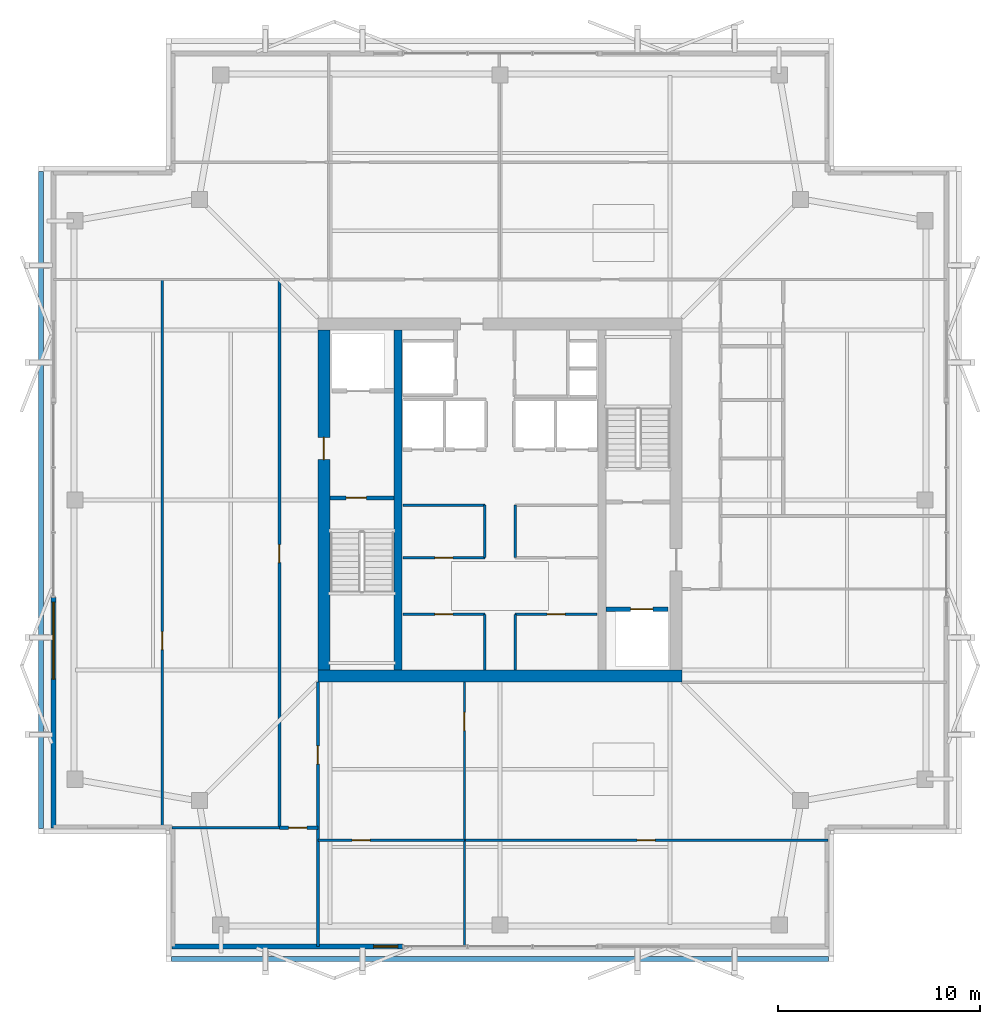
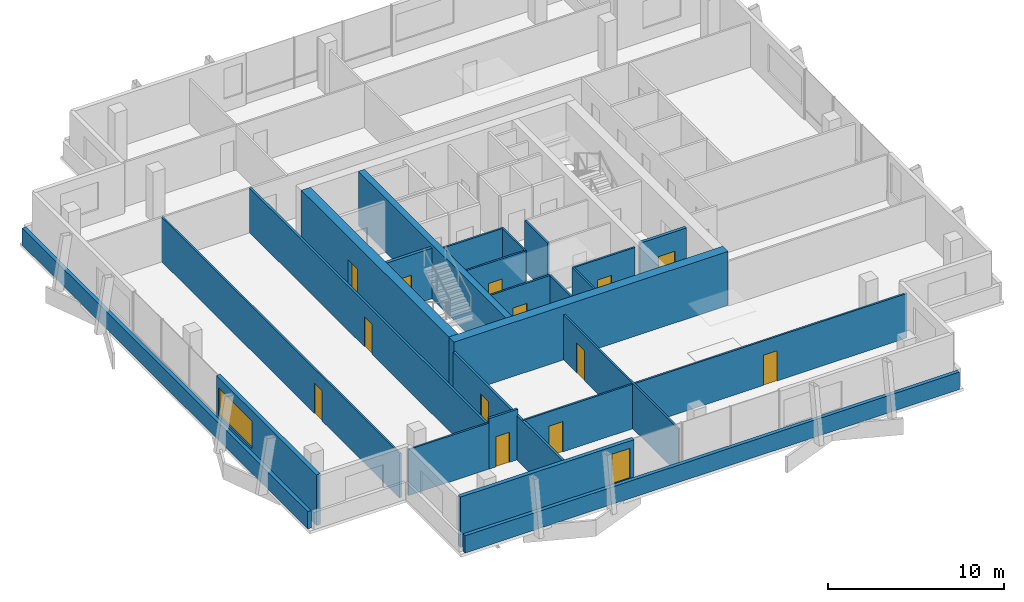
# One storey, part 13 of 17: 25 walls, 13 doors, 2 windows, 15 openings.
"""IFC4 building model written with IfcOpenShell, lengths in metres."""

from ifc_helpers import new_model, si_unit, direction, frame, frame_2d, origin, place, context, subcontext, project, spatial, rectangle, extrude, material, layer, layer_set, type_object, element, fill, save


model = new_model("IFC4")

# Units and contexts
model_context = context("Model", 3, precision=1e-05, world=origin(), true_north=direction((0.0, 1.0)))
body_context = subcontext(model_context, "Body", "Model", "MODEL_VIEW")
ifc_project = project(units=[si_unit("LENGTHUNIT", "METRE"), si_unit("AREAUNIT", "SQUARE_METRE"), si_unit("VOLUMEUNIT", "CUBIC_METRE"), si_unit("PLANEANGLEUNIT", "RADIAN"), si_unit("MASSUNIT", "GRAM", prefix="KILO")], contexts=[model_context])

# Site, building, storey
site_placement = place(None, origin())
site = spatial("IfcSite", under=ifc_project, at=site_placement, CompositionType="ELEMENT")
building_placement = place(site_placement, origin())
building = spatial("IfcBuilding", under=site, at=building_placement, Name="Belovzor Exchange Tower", CompositionType="ELEMENT")
storey_placement = place(building_placement, frame((0.0, 0.0, 333.0)))
storey = spatial("IfcBuildingStorey", under=building, at=storey_placement, Name="L83", CompositionType="ELEMENT", Elevation=333.0)

# Wall, opening, door
ifc_material_1 = material(Name="Acoustic Plasterboard on Galvanised Studs", Category="gypsum")
ifc_layer_1 = layer(ifc_material_1, 0.1201171875)
ifc_layer_set_1 = layer_set([ifc_layer_1], Name="Acoustic Plasterboard on Galvanised Studs")
wall_type_1 = type_object("IfcWallType", Name="Acoustic Double-Stud Partition Wall 120", PredefinedType="PARTITIONING", material=ifc_layer_set_1)
wall_1_placement = place(storey_placement, frame((12.115966796875, 12.60009765625, 0.0), z_axis=(0.0, 0.0, 1.0), x_axis=(0.0, 1.0, 0.0)))
wall_1 = element("IfcWall", 1, at=wall_1_placement, inside=storey, type_object=wall_type_1, Name="W-P120 Partition Wall W-L83-WHDIV-0", PredefinedType="PARTITIONING", context=body_context, shape_type="SweptSolid", body=[
    extrude(rectangle(XDim=27.099853515625, YDim=0.1201171875, at=frame_2d((13.5498046875, 0.0))), origin(), (0.0, 0.0, 1.0), 3.094970703125),
])
opening_1_placement = place(wall_1_placement, frame((8.800048828125, 0.0, 0.0)))
opening_1 = element("IfcOpeningElement", 2, at=opening_1_placement, cuts=wall_1, Name="Opening D-INT-090", PredefinedType="OPENING", context=body_context, shape_type="SweptSolid", body=[
    extrude(rectangle(XDim=0.89990234375, YDim=2.10009765625, at=frame_2d((0.449951171875, 1.050048828125))), frame((0.0, 0.070068359375, 0.0), z_axis=(0.0, -1.0, 0.0), x_axis=(1.0, 0.0, 0.0)), (0.0, 0.0, 1.0), 0.14013671875),
])
ifc_material_2 = material(Name="Veneered Hardwood Acoustic Leaf", Category="wood")
door_type_1 = type_object("IfcDoorType", Name="Trading Suite Acoustic Single Door 900x2100", OperationType="NOTDEFINED", PredefinedType="DOOR", material=ifc_material_2)
door_1_placement = place(opening_1_placement, origin())
door_1 = element("IfcDoor", 3, at=door_1_placement, inside=storey, type_object=door_type_1, Name="D-INT-090 Trading Suite Acoustic Single Door 900x2100", OperationType="SINGLE_SWING_LEFT", OverallHeight=2.10009765625, OverallWidth=0.89990234375, PredefinedType="DOOR", context=body_context, shape_type="SweptSolid", body=[
    extrude(rectangle(XDim=0.89990234375, YDim=2.10009765625, at=frame_2d((0.449951171875, 1.050048828125))), frame((0.0, 0.02490234375, 0.0), z_axis=(0.0, -1.0, 0.0), x_axis=(1.0, 0.0, 0.0)), (0.0, 0.0, 1.0), 0.050048828125),
])
fill(opening_1, door_1)

# Wall
wall_2_placement = place(storey_placement, frame((12.60009765625, 12.60009765625, 0.0), z_axis=(0.0, 0.0, 1.0), x_axis=(1.0, 0.0, 0.0)))
element("IfcWall", 4, at=wall_2_placement, inside=storey, type_object=wall_type_1, Name="W-P120 Partition Wall W-L83-SWS", PredefinedType="PARTITIONING", context=body_context, shape_type="SweptSolid", body=[
    extrude(rectangle(XDim=5.2998046875, YDim=0.1201171875, at=frame_2d((2.64990234375, 0.0))), origin(), (0.0, 0.0, 1.0), 3.195068359375),
])

# Wall, opening, door
wall_3_placement = place(storey_placement, frame((19.800048828125, 11.972900390625, 0.0), z_axis=(0.0, 0.0, 1.0), x_axis=(1.0, 0.0, 0.0)))
wall_3 = element("IfcWall", 5, at=wall_3_placement, inside=storey, type_object=wall_type_1, Name="W-P120 Partition Wall W-L83-SHDIV-0", PredefinedType="PARTITIONING", context=body_context, shape_type="SweptSolid", body=[
    extrude(rectangle(XDim=7.243896484375, YDim=0.1201171875, at=frame_2d((3.6220703125, 0.0))), origin(), (0.0, 0.0, 1.0), 3.094970703125),
])
opening_2_placement = place(wall_3_placement, frame((1.68603515625, 0.0, 0.0)))
opening_2 = element("IfcOpeningElement", 6, at=opening_2_placement, cuts=wall_3, Name="Opening D-INT-090", PredefinedType="OPENING", context=body_context, shape_type="SweptSolid", body=[
    extrude(rectangle(XDim=0.89990234375, YDim=2.10009765625, at=frame_2d((0.449951171875, 1.050048828125))), frame((0.0, 0.070068359375, 0.0), z_axis=(0.0, -1.0, 0.0), x_axis=(1.0, 0.0, 0.0)), (0.0, 0.0, 1.0), 0.14013671875),
])
door_2_placement = place(opening_2_placement, origin())
door_2 = element("IfcDoor", 7, at=door_2_placement, inside=storey, type_object=door_type_1, Name="D-INT-090 Trading Suite Acoustic Single Door 900x2100", OperationType="SINGLE_SWING_LEFT", OverallHeight=2.10009765625, OverallWidth=0.89990234375, PredefinedType="DOOR", context=body_context, shape_type="SweptSolid", body=[
    extrude(rectangle(XDim=0.89990234375, YDim=2.10009765625, at=frame_2d((0.449951171875, 1.050048828125))), frame((0.0, 0.02490234375, 0.0), z_axis=(0.0, -1.0, 0.0), x_axis=(1.0, 0.0, 0.0)), (0.0, 0.0, 1.0), 0.050048828125),
])
fill(opening_2, door_2)

wall_4_placement = place(storey_placement, frame((27.0439453125, 6.72998046875, 0.0), z_axis=(0.0, 0.0, 1.0), x_axis=(0.0, 1.0, 0.0)))
wall_4 = element("IfcWall", 8, at=wall_4_placement, inside=storey, type_object=wall_type_1, Name="W-P120 Partition Wall W-L83-SDIV-1", PredefinedType="PARTITIONING", context=body_context, shape_type="SweptSolid", body=[
    extrude(rectangle(XDim=13.070068359375, YDim=0.1201171875, at=frame_2d((6.53515625, 0.0))), origin(), (0.0, 0.0, 1.0), 3.135009765625),
])
opening_3_placement = place(wall_4_placement, frame((10.669921875, 0.0, 0.0)))
opening_3 = element("IfcOpeningElement", 9, at=opening_3_placement, cuts=wall_4, Name="Opening D-INT-090", PredefinedType="OPENING", context=body_context, shape_type="SweptSolid", body=[
    extrude(rectangle(XDim=0.89990234375, YDim=2.10009765625, at=frame_2d((0.449951171875, 1.050048828125))), frame((0.0, 0.070068359375, 0.0), z_axis=(0.0, -1.0, 0.0), x_axis=(1.0, 0.0, 0.0)), (0.0, 0.0, 1.0), 0.14013671875),
])
door_3_placement = place(opening_3_placement, origin())
door_3 = element("IfcDoor", 10, at=door_3_placement, inside=storey, type_object=door_type_1, Name="D-INT-090 Trading Suite Acoustic Single Door 900x2100", OperationType="SINGLE_SWING_LEFT", OverallHeight=2.10009765625, OverallWidth=0.89990234375, PredefinedType="DOOR", context=body_context, shape_type="SweptSolid", body=[
    extrude(rectangle(XDim=0.89990234375, YDim=2.10009765625, at=frame_2d((0.449951171875, 1.050048828125))), frame((0.0, 0.02490234375, 0.0), z_axis=(0.0, -1.0, 0.0), x_axis=(1.0, 0.0, 0.0)), (0.0, 0.0, 1.0), 0.050048828125),
])
fill(opening_3, door_3)

wall_5_placement = place(storey_placement, frame((27.0439453125, 11.972900390625, 0.0), z_axis=(0.0, 0.0, 1.0), x_axis=(1.0, 0.0, 0.0)))
wall_5 = element("IfcWall", 11, at=wall_5_placement, inside=storey, type_object=wall_type_1, Name="W-P120 Partition Wall W-L83-SHDIV-1", PredefinedType="PARTITIONING", context=body_context, shape_type="SweptSolid", body=[
    extrude(rectangle(XDim=17.9560546875, YDim=0.1201171875, at=frame_2d((8.97802734375, 0.0))), origin(), (0.0, 0.0, 1.0), 3.094970703125),
])
opening_4_placement = place(wall_5_placement, frame((8.528076171875, 0.0, 0.0)))
opening_4 = element("IfcOpeningElement", 12, at=opening_4_placement, cuts=wall_5, Name="Opening D-INT-090", PredefinedType="OPENING", context=body_context, shape_type="SweptSolid", body=[
    extrude(rectangle(XDim=0.89990234375, YDim=2.10009765625, at=frame_2d((0.449951171875, 1.050048828125))), frame((0.0, 0.070068359375, 0.0), z_axis=(0.0, -1.0, 0.0), x_axis=(1.0, 0.0, 0.0)), (0.0, 0.0, 1.0), 0.14013671875),
])
door_4_placement = place(opening_4_placement, origin())
door_4 = element("IfcDoor", 13, at=door_4_placement, inside=storey, type_object=door_type_1, Name="D-INT-090 Trading Suite Acoustic Single Door 900x2100", OperationType="SINGLE_SWING_LEFT", OverallHeight=2.10009765625, OverallWidth=0.89990234375, PredefinedType="DOOR", context=body_context, shape_type="SweptSolid", body=[
    extrude(rectangle(XDim=0.89990234375, YDim=2.10009765625, at=frame_2d((0.449951171875, 1.050048828125))), frame((0.0, 0.02490234375, 0.0), z_axis=(0.0, -1.0, 0.0), x_axis=(1.0, 0.0, 0.0)), (0.0, 0.0, 1.0), 0.050048828125),
])
fill(opening_4, door_4)

ifc_material_3 = material(Name="Fire-Rated Plasterboard on Galvanised Studs", Category="gypsum")
ifc_layer_2 = layer(ifc_material_3, 0.1201171875)
ifc_layer_set_2 = layer_set([ifc_layer_2], Name="Fire-Rated Plasterboard on Galvanised Studs")
wall_type_2 = type_object("IfcWallType", Name="Fire-Rated Double-Stud Partition Wall 120", PredefinedType="PARTITIONING", material=ifc_layer_set_2)
wall_6_placement = place(storey_placement, frame((24.0, 23.14990234375, 0.0), z_axis=(0.0, 0.0, 1.0), x_axis=(1.0, 0.0, 0.0)))
wall_6 = element("IfcWall", 14, at=wall_6_placement, inside=storey, type_object=wall_type_2, Name="W-P120F Partition Wall W-CRL-L83-WN", PredefinedType="PARTITIONING", context=body_context, shape_type="SweptSolid", body=[
    extrude(rectangle(XDim=4.050048828125, YDim=0.1201171875, at=frame_2d((2.02490234375, 0.0))), origin(), (0.0, 0.0, 1.0), 3.510009765625),
])
opening_5_placement = place(wall_6_placement, frame((1.574951171875, 0.0, 0.0)))
opening_5 = element("IfcOpeningElement", 15, at=opening_5_placement, cuts=wall_6, Name="Opening D-FD60-090", PredefinedType="OPENING", context=body_context, shape_type="SweptSolid", body=[
    extrude(rectangle(XDim=0.89990234375, YDim=2.10009765625, at=frame_2d((0.449951171875, 1.050048828125))), frame((0.0, 0.070068359375, 0.0), z_axis=(0.0, -1.0, 0.0), x_axis=(1.0, 0.0, 0.0)), (0.0, 0.0, 1.0), 0.14013671875),
])
ifc_material_4 = material(Name="Acoustic Timber Fire Leaf", Category="wood")
door_type_2 = type_object("IfcDoorType", Name="Core Service & Restroom Fire Door 900x2100", OperationType="NOTDEFINED", PredefinedType="DOOR", material=ifc_material_4)
door_5_placement = place(opening_5_placement, origin())
door_5 = element("IfcDoor", 16, at=door_5_placement, inside=storey, type_object=door_type_2, Name="D-FD60-090 Core Service & Restroom Fire Door 900x2100", OperationType="SINGLE_SWING_LEFT", OverallHeight=2.10009765625, OverallWidth=0.89990234375, PredefinedType="DOOR", context=body_context, shape_type="SweptSolid", body=[
    extrude(rectangle(XDim=0.89990234375, YDim=2.10009765625, at=frame_2d((0.449951171875, 1.050048828125))), frame((0.0, 0.02490234375, 0.0), z_axis=(0.0, -1.0, 0.0), x_axis=(1.0, 0.0, 0.0)), (0.0, 0.0, 1.0), 0.050048828125),
])
fill(opening_5, door_5)

# Wall
wall_7_placement = place(storey_placement, frame((28.050048828125, 20.39990234375, 0.0), z_axis=(0.0, 0.0, 1.0), x_axis=(0.0, 1.0, 0.0)))
element("IfcWall", 17, at=wall_7_placement, inside=storey, type_object=wall_type_2, Name="W-P120F Partition Wall W-CRL-L83-WE", PredefinedType="PARTITIONING", context=body_context, shape_type="SweptSolid", body=[
    extrude(rectangle(XDim=2.75, YDim=0.1201171875, at=frame_2d((1.375, 0.0))), origin(), (0.0, 0.0, 1.0), 3.510009765625),
])

# Wall, opening, door
wall_8_placement = place(storey_placement, frame((29.550048828125, 23.14990234375, 0.0), z_axis=(0.0, 0.0, 1.0), x_axis=(1.0, 0.0, 0.0)))
wall_8 = element("IfcWall", 18, at=wall_8_placement, inside=storey, type_object=wall_type_2, Name="W-P120F Partition Wall W-CRL-L83-EN", PredefinedType="PARTITIONING", context=body_context, shape_type="SweptSolid", body=[
    extrude(rectangle(XDim=4.050048828125, YDim=0.1201171875, at=frame_2d((2.02490234375, 0.0))), origin(), (0.0, 0.0, 1.0), 3.510009765625),
])
opening_6_placement = place(wall_8_placement, frame((1.574951171875, 0.0, 0.0)))
opening_6 = element("IfcOpeningElement", 19, at=opening_6_placement, cuts=wall_8, Name="Opening D-FD60-090", PredefinedType="OPENING", context=body_context, shape_type="SweptSolid", body=[
    extrude(rectangle(XDim=0.89990234375, YDim=2.10009765625, at=frame_2d((0.449951171875, 1.050048828125))), frame((0.0, 0.070068359375, 0.0), z_axis=(0.0, -1.0, 0.0), x_axis=(1.0, 0.0, 0.0)), (0.0, 0.0, 1.0), 0.14013671875),
])
door_6_placement = place(opening_6_placement, origin())
door_6 = element("IfcDoor", 20, at=door_6_placement, inside=storey, type_object=door_type_2, Name="D-FD60-090 Core Service & Restroom Fire Door 900x2100", OperationType="SINGLE_SWING_RIGHT", OverallHeight=2.10009765625, OverallWidth=0.89990234375, PredefinedType="DOOR", context=body_context, shape_type="SweptSolid", body=[
    extrude(rectangle(XDim=0.89990234375, YDim=2.10009765625, at=frame_2d((0.449951171875, 1.050048828125))), frame((0.0, 0.02490234375, 0.0), z_axis=(0.0, -1.0, 0.0), x_axis=(1.0, 0.0, 0.0)), (0.0, 0.0, 1.0), 0.050048828125),
])
fill(opening_6, door_6)

# Wall
wall_9_placement = place(storey_placement, frame((29.550048828125, 20.39990234375, 0.0), z_axis=(0.0, 0.0, 1.0), x_axis=(0.0, 1.0, 0.0)))
element("IfcWall", 21, at=wall_9_placement, inside=storey, type_object=wall_type_2, Name="W-P120F Partition Wall W-CRL-L83-EW", PredefinedType="PARTITIONING", context=body_context, shape_type="SweptSolid", body=[
    extrude(rectangle(XDim=2.75, YDim=0.1201171875, at=frame_2d((1.375, 0.0))), origin(), (0.0, 0.0, 1.0), 3.510009765625),
])

# Wall, opening, door
wall_10_placement = place(storey_placement, frame((24.0, 25.949951171875, 0.0), z_axis=(0.0, 0.0, 1.0), x_axis=(1.0, 0.0, 0.0)))
wall_10 = element("IfcWall", 22, at=wall_10_placement, inside=storey, type_object=wall_type_2, Name="W-P120F Partition Wall W-CRM-L83-WS", PredefinedType="PARTITIONING", context=body_context, shape_type="SweptSolid", body=[
    extrude(rectangle(XDim=4.050048828125, YDim=0.1201171875, at=frame_2d((2.02490234375, 0.0))), origin(), (0.0, 0.0, 1.0), 3.510009765625),
])
opening_7_placement = place(wall_10_placement, frame((1.574951171875, 0.0, 0.0)))
opening_7 = element("IfcOpeningElement", 23, at=opening_7_placement, cuts=wall_10, Name="Opening D-FD60-090", PredefinedType="OPENING", context=body_context, shape_type="SweptSolid", body=[
    extrude(rectangle(XDim=0.89990234375, YDim=2.10009765625, at=frame_2d((0.449951171875, 1.050048828125))), frame((0.0, 0.070068359375, 0.0), z_axis=(0.0, -1.0, 0.0), x_axis=(1.0, 0.0, 0.0)), (0.0, 0.0, 1.0), 0.14013671875),
])
door_7_placement = place(opening_7_placement, origin())
door_7 = element("IfcDoor", 24, at=door_7_placement, inside=storey, type_object=door_type_2, Name="D-FD60-090 Core Service & Restroom Fire Door 900x2100", OperationType="SINGLE_SWING_LEFT", OverallHeight=2.10009765625, OverallWidth=0.89990234375, PredefinedType="DOOR", context=body_context, shape_type="SweptSolid", body=[
    extrude(rectangle(XDim=0.89990234375, YDim=2.10009765625, at=frame_2d((0.449951171875, 1.050048828125))), frame((0.0, 0.02490234375, 0.0), z_axis=(0.0, -1.0, 0.0), x_axis=(1.0, 0.0, 0.0)), (0.0, 0.0, 1.0), 0.050048828125),
])
fill(opening_7, door_7)

# Walls
wall_11_placement = place(storey_placement, frame((24.0, 28.550048828125, 0.0), z_axis=(0.0, 0.0, 1.0), x_axis=(1.0, 0.0, 0.0)))
element("IfcWall", 25, at=wall_11_placement, inside=storey, type_object=wall_type_2, Name="W-P120F Partition Wall W-CRM-L83-WN", PredefinedType="PARTITIONING", context=body_context, shape_type="SweptSolid", body=[
    extrude(rectangle(XDim=4.050048828125, YDim=0.1201171875, at=frame_2d((2.02490234375, 0.0))), origin(), (0.0, 0.0, 1.0), 3.510009765625),
])
for number, where, z_axis, x_axis, name in (
    (26, (28.050048828125, 25.949951171875, 0.0), (0.0, 0.0, 1.0), (0.0, 1.0, 0.0), "W-P120F Partition Wall W-CRM-L83-WE"),
    (27, (29.550048828125, 25.949951171875, 0.0), (0.0, 0.0, 1.0), (0.0, 1.0, 0.0), "W-P120F Partition Wall W-CRM-L83-EW"),
):
    element("IfcWall", number, at=place(storey_placement, frame(where, z_axis=z_axis, x_axis=x_axis)), inside=storey, type_object=wall_type_2, Name=name, PredefinedType="PARTITIONING", context=body_context, shape_type="SweptSolid", body=[
        extrude(rectangle(XDim=2.60009765625, YDim=0.1201171875, at=frame_2d((1.300048828125, 0.0))), origin(), (0.0, 0.0, 1.0), 3.510009765625),
    ])

# Wall, opening, door
ifc_material_5 = material(Name="Fire-Rated Gypsum Block and Mineral Wool", Category="gypsum")
ifc_layer_3 = layer(ifc_material_5, 0.14990234375)
ifc_layer_set_3 = layer_set([ifc_layer_3], Name="Fire-Rated Gypsum Block and Mineral Wool")
wall_type_3 = type_object("IfcWallType", Name="Fire-Rated Gypsum Block Corridor Wall 150", PredefinedType="PARTITIONING", material=ifc_layer_set_3)
wall_12_placement = place(storey_placement, frame((17.89990234375, 12.60009765625, 0.0), z_axis=(0.0, 0.0, 1.0), x_axis=(1.0, 0.0, 0.0)))
wall_12 = element("IfcWall", 28, at=wall_12_placement, inside=storey, type_object=wall_type_3, Name="W-P150 Partition Wall W-L83-CW-END", PredefinedType="PARTITIONING", context=body_context, shape_type="SweptSolid", body=[
    extrude(rectangle(XDim=1.900146484375, YDim=0.14990234375, at=frame_2d((0.9501953125, 0.0))), origin(), (0.0, 0.0, 1.0), 3.510009765625),
])
opening_8_placement = place(wall_12_placement, frame((0.449951171875, 0.0, 0.0)))
opening_8 = element("IfcOpeningElement", 29, at=opening_8_placement, cuts=wall_12, Name="Opening D-FD60-090", PredefinedType="OPENING", context=body_context, shape_type="SweptSolid", body=[
    extrude(rectangle(XDim=0.89990234375, YDim=2.10009765625, at=frame_2d((0.449951171875, 1.050048828125))), frame((0.0, 0.0849609375, 0.0), z_axis=(0.0, -1.0, 0.0), x_axis=(1.0, 0.0, 0.0)), (0.0, 0.0, 1.0), 0.169921875),
])
door_8_placement = place(opening_8_placement, origin())
door_8 = element("IfcDoor", 30, at=door_8_placement, inside=storey, type_object=door_type_2, Name="D-FD60-090 Core Service & Restroom Fire Door 900x2100", OperationType="SINGLE_SWING_LEFT", OverallHeight=2.10009765625, OverallWidth=0.89990234375, PredefinedType="DOOR", context=body_context, shape_type="SweptSolid", body=[
    extrude(rectangle(XDim=0.89990234375, YDim=2.10009765625, at=frame_2d((0.449951171875, 1.050048828125))), frame((0.0, 0.02490234375, 0.0), z_axis=(0.0, -1.0, 0.0), x_axis=(1.0, 0.0, 0.0)), (0.0, 0.0, 1.0), 0.050048828125),
])
fill(opening_8, door_8)

wall_13_placement = place(storey_placement, frame((19.800048828125, 6.72998046875, 0.0), z_axis=(0.0, 0.0, 1.0), x_axis=(0.0, 1.0, 0.0)))
wall_13 = element("IfcWall", 31, at=wall_13_placement, inside=storey, type_object=wall_type_3, Name="W-P150 Partition Wall W-L83-CW-E", PredefinedType="PARTITIONING", context=body_context, shape_type="SweptSolid", body=[
    extrude(rectangle(XDim=13.070068359375, YDim=0.14990234375, at=frame_2d((6.53515625, 0.0))), origin(), (0.0, 0.0, 1.0), 3.094970703125),
])
opening_9_placement = place(wall_13_placement, frame((9.02001953125, 0.0, 0.0)))
opening_9 = element("IfcOpeningElement", 32, at=opening_9_placement, cuts=wall_13, Name="Opening D-FD60-090", PredefinedType="OPENING", context=body_context, shape_type="SweptSolid", body=[
    extrude(rectangle(XDim=0.89990234375, YDim=2.10009765625, at=frame_2d((0.449951171875, 1.050048828125))), frame((0.0, 0.0849609375, 0.0), z_axis=(0.0, -1.0, 0.0), x_axis=(1.0, 0.0, 0.0)), (0.0, 0.0, 1.0), 0.169921875),
])
door_9_placement = place(opening_9_placement, origin())
door_9 = element("IfcDoor", 33, at=door_9_placement, inside=storey, type_object=door_type_2, Name="D-FD60-090 Core Service & Restroom Fire Door 900x2100", OperationType="SINGLE_SWING_RIGHT", OverallHeight=2.10009765625, OverallWidth=0.89990234375, PredefinedType="DOOR", context=body_context, shape_type="SweptSolid", body=[
    extrude(rectangle(XDim=0.89990234375, YDim=2.10009765625, at=frame_2d((0.449951171875, 1.050048828125))), frame((0.0, 0.02490234375, 0.0), z_axis=(0.0, -1.0, 0.0), x_axis=(1.0, 0.0, 0.0)), (0.0, 0.0, 1.0), 0.050048828125),
])
fill(opening_9, door_9)

wall_14_placement = place(storey_placement, frame((17.89990234375, 12.60009765625, 0.0), z_axis=(0.0, 0.0, 1.0), x_axis=(0.0, 1.0, 0.0)))
wall_14 = element("IfcWall", 34, at=wall_14_placement, inside=storey, type_object=wall_type_3, Name="W-P150 Partition Wall W-L83-CW", PredefinedType="PARTITIONING", context=body_context, shape_type="SweptSolid", body=[
    extrude(rectangle(XDim=27.099853515625, YDim=0.14990234375, at=frame_2d((13.5498046875, 0.0))), origin(), (0.0, 0.0, 1.0), 3.094970703125),
])
opening_10_placement = place(wall_14_placement, frame((13.10009765625, 0.0, 0.0)))
opening_10 = element("IfcOpeningElement", 35, at=opening_10_placement, cuts=wall_14, Name="Opening D-INT-090", PredefinedType="OPENING", context=body_context, shape_type="SweptSolid", body=[
    extrude(rectangle(XDim=0.89990234375, YDim=2.10009765625, at=frame_2d((0.449951171875, 1.050048828125))), frame((0.0, 0.0849609375, 0.0), z_axis=(0.0, -1.0, 0.0), x_axis=(1.0, 0.0, 0.0)), (0.0, 0.0, 1.0), 0.169921875),
])
door_10_placement = place(opening_10_placement, origin())
door_10 = element("IfcDoor", 36, at=door_10_placement, inside=storey, type_object=door_type_1, Name="D-INT-090 Trading Suite Acoustic Single Door 900x2100", OperationType="SINGLE_SWING_RIGHT", OverallHeight=2.10009765625, OverallWidth=0.89990234375, PredefinedType="DOOR", context=body_context, shape_type="SweptSolid", body=[
    extrude(rectangle(XDim=0.89990234375, YDim=2.10009765625, at=frame_2d((0.449951171875, 1.050048828125))), frame((0.0, 0.02490234375, 0.0), z_axis=(0.0, -1.0, 0.0), x_axis=(1.0, 0.0, 0.0)), (0.0, 0.0, 1.0), 0.050048828125),
])
fill(opening_10, door_10)

# Wall, opening, window
ifc_material_6 = material(Name="Precast concrete C40/50", Category="concrete")
ifc_layer_4 = layer(ifc_material_6, 0.260009765625)
ifc_layer_set_4 = layer_set([ifc_layer_4], Name="Precast concrete C40/50")
wall_type_4 = type_object("IfcWallType", Name="Precast Concrete Perimeter Loggia Frame Wall 260", PredefinedType="SOLIDWALL", material=ifc_layer_set_4)
wall_15_placement = place(storey_placement, frame((24.0, 6.72998046875, 0.0), z_axis=(0.0, 0.0, 1.0), x_axis=(-1.0, 0.0, 0.0)))
wall_15 = element("IfcWall", 37, at=wall_15_placement, inside=storey, type_object=wall_type_4, Name="W-EXT260 Precast Concrete Perimeter Loggia Frame Wall 260 L83", PredefinedType="SOLIDWALL", context=body_context, shape_type="SweptSolid", body=[
    extrude(rectangle(XDim=11.39990234375, YDim=0.260009765625, at=frame_2d((5.699951171875, 0.0))), origin(), (0.0, 0.0, 1.0), 3.510009765625),
])
opening_11_placement = place(wall_15_placement, frame((0.25, 0.0, 0.89990234375)))
opening_11 = element("IfcOpeningElement", 38, at=opening_11_placement, cuts=wall_15, Name="Opening WN-CRN120", PredefinedType="OPENING", context=body_context, shape_type="SweptSolid", body=[
    extrude(rectangle(XDim=1.199951171875, YDim=2.10009765625, at=frame_2d((0.60009765625, 1.050048828125))), frame((0.0, 0.139892578125, 0.0), z_axis=(0.0, -1.0, 0.0), x_axis=(1.0, 0.0, 0.0)), (0.0, 0.0, 1.0), 0.280029296875),
])
ifc_material_7 = material(Name="Thermally Broken Aluminium and Triple Glazing", Category="aluminium")
window_type_1 = type_object("IfcWindowType", Name="Streamline Notched Corner Window 1200x2100", PartitioningType="SINGLE_PANEL", PredefinedType="WINDOW", material=ifc_material_7)
window_1_placement = place(opening_11_placement, origin())
window_1 = element("IfcWindow", 39, at=window_1_placement, inside=storey, type_object=window_type_1, Name="WN-CRN120 Streamline Notched Corner Window 1200x2100", OverallHeight=2.10009765625, OverallWidth=1.199951171875, PartitioningType="SINGLE_PANEL", PredefinedType="WINDOW", context=body_context, shape_type="SweptSolid", body=[
    extrude(rectangle(XDim=1.199951171875, YDim=2.10009765625, at=frame_2d((0.60009765625, 1.050048828125))), frame((0.0, 0.030029296875, 0.0), z_axis=(0.0, -1.0, 0.0), x_axis=(1.0, 0.0, 0.0)), (0.0, 0.0, 1.0), 0.06005859375),
])
fill(opening_11, window_1)

wall_16_placement = place(storey_placement, frame((6.72998046875, 12.60009765625, 0.0), z_axis=(0.0, 0.0, 1.0), x_axis=(0.0, 1.0, 0.0)))
wall_16 = element("IfcWall", 40, at=wall_16_placement, inside=storey, type_object=wall_type_4, Name="W-EXT260 Precast Concrete Perimeter Loggia Frame Wall 260 L83", PredefinedType="SOLIDWALL", context=body_context, shape_type="SweptSolid", body=[
    extrude(rectangle(XDim=11.39990234375, YDim=0.260009765625, at=frame_2d((5.699951171875, 0.0))), origin(), (0.0, 0.0, 1.0), 3.510009765625),
])
opening_12_placement = place(wall_16_placement, frame((7.35009765625, 0.0, 0.89990234375)))
opening_12 = element("IfcOpeningElement", 41, at=opening_12_placement, cuts=wall_16, Name="Opening WN-RIB380", PredefinedType="OPENING", context=body_context, shape_type="SweptSolid", body=[
    extrude(rectangle(XDim=3.800048828125, YDim=1.89990234375, at=frame_2d((1.89990234375, 0.949951171875))), frame((0.0, 0.139892578125, 0.0), z_axis=(0.0, -1.0, 0.0), x_axis=(1.0, 0.0, 0.0)), (0.0, 0.0, 1.0), 0.280029296875),
])
ifc_material_8 = material(Name="Thermally Broken Aluminium and Triple Glazing", Category="aluminium")
window_type_2 = type_object("IfcWindowType", Name="Streamline Moderne Horizontal Ribbon Window 3800x1900", PartitioningType="SINGLE_PANEL", PredefinedType="WINDOW", material=ifc_material_8)
window_2_placement = place(opening_12_placement, origin())
window_2 = element("IfcWindow", 42, at=window_2_placement, inside=storey, type_object=window_type_2, Name="WN-RIB380 Streamline Moderne Horizontal Ribbon Window 3800x1900", OverallHeight=1.89990234375, OverallWidth=3.800048828125, PartitioningType="SINGLE_PANEL", PredefinedType="WINDOW", context=body_context, shape_type="SweptSolid", body=[
    extrude(rectangle(XDim=3.800048828125, YDim=1.89990234375, at=frame_2d((1.89990234375, 0.949951171875))), frame((0.0, 0.030029296875, 0.0), z_axis=(0.0, -1.0, 0.0), x_axis=(1.0, 0.0, 0.0)), (0.0, 0.0, 1.0), 0.06005859375),
])
fill(opening_12, window_2)

# Walls
ifc_material_9 = material(Name="Precast concrete C40/50", Category="concrete")
ifc_layer_5 = layer(ifc_material_9, 0.239990234375)
ifc_layer_set_5 = layer_set([ifc_layer_5], Name="Precast concrete C40/50")
wall_type_5 = type_object("IfcWallType", Name="Precast Stone Setback Roof Parapet Wall 240", PredefinedType="PARAPET", material=ifc_layer_set_5)
for number, where, z_axis, x_axis, name in (
    (43, (12.554931640625, 6.1201171875, 0.0), (0.0, 0.0, 1.0), (1.0, 0.0, 0.0), "W-PAR240 Precast Stone Setback Roof Parapet Wall 240 L83"),
    (44, (6.1201171875, 45.044921875, 0.0), (0.0, 0.0, 1.0), (0.0, -1.0, 0.0), "W-PAR240 Precast Stone Setback Roof Parapet Wall 240 L83"),
):
    element("IfcWall", number, at=place(storey_placement, frame(where, z_axis=z_axis, x_axis=x_axis)), inside=storey, type_object=wall_type_5, Name=name, PredefinedType="PARAPET", context=body_context, shape_type="SweptSolid", body=[
        extrude(rectangle(XDim=32.489990234375, YDim=0.239990234375, at=frame_2d((16.2451171875, 0.0))), origin(), (0.0, 0.0, 1.0), 1.199951171875),
    ])
ifc_material_10 = material(Name="Concrete C50/60", Category="concrete")
ifc_layer_6 = layer(ifc_material_10, 0.39990234375)
ifc_layer_set_6 = layer_set([ifc_layer_6], Name="Concrete C50/60")
wall_type_6 = type_object("IfcWallType", Name="Reinforced Concrete Core Internal Web Wall 400", PredefinedType="SHEAR", material=ifc_layer_set_6)
wall_17_placement = place(storey_placement, frame((23.75, 20.39990234375, 0.0), z_axis=(0.0, 0.0, 1.0), x_axis=(0.0, 1.0, 0.0)))
element("IfcWall", 45, at=wall_17_placement, inside=storey, type_object=wall_type_6, Name="CW-W040 Core Internal Web Wall L83 WL", PredefinedType="SHEAR", context=body_context, shape_type="SweptSolid", body=[
    extrude(rectangle(XDim=16.800048828125, YDim=0.39990234375, at=frame_2d((8.39990234375, 0.0))), origin(), (0.0, 0.0, 1.0), 3.75),
])

# Wall, opening, door
ifc_material_11 = material(Name="Concrete C50/60", Category="concrete")
ifc_layer_7 = layer(ifc_material_11, 0.199951171875)
ifc_layer_set_7 = layer_set([ifc_layer_7], Name="Concrete C50/60")
wall_type_7 = type_object("IfcWallType", Name="Reinforced Concrete Core Shaft Shear Wall 200", PredefinedType="SHEAR", material=ifc_layer_set_7)
wall_18_placement = place(storey_placement, frame((20.39990234375, 28.89990234375, 0.0), z_axis=(0.0, 0.0, 1.0), x_axis=(1.0, 0.0, 0.0)))
wall_18 = element("IfcWall", 46, at=wall_18_placement, inside=storey, type_object=wall_type_7, Name="W-C200S Core Shaft Wall W-CORE-L83-FFLW1", PredefinedType="SHEAR", context=body_context, shape_type="SweptSolid", body=[
    extrude(rectangle(XDim=3.150146484375, YDim=0.199951171875, at=frame_2d((1.5751953125, 0.0))), origin(), (0.0, 0.0, 1.0), 3.510009765625),
])
opening_13_placement = place(wall_18_placement, frame((0.800048828125, 0.0, 0.0)))
opening_13 = element("IfcOpeningElement", 47, at=opening_13_placement, cuts=wall_18, Name="Opening D-FD90-100", PredefinedType="OPENING", context=body_context, shape_type="SweptSolid", body=[
    extrude(rectangle(XDim=1.0, YDim=2.10009765625, at=frame_2d((0.5, 1.050048828125))), frame((0.0, 0.10986328125, 0.0), z_axis=(0.0, -1.0, 0.0), x_axis=(1.0, 0.0, 0.0)), (0.0, 0.0, 1.0), 0.219970703125),
])
ifc_material_12 = material(Name="Fire-Rated Galvanised Steel Leaf", Category="steel")
door_type_3 = type_object("IfcDoorType", Name="Protected Stairwell Single Fire Door 1000x2100", OperationType="NOTDEFINED", PredefinedType="DOOR", material=ifc_material_12)
door_11_placement = place(opening_13_placement, origin())
door_11 = element("IfcDoor", 48, at=door_11_placement, inside=storey, type_object=door_type_3, Name="D-FD90-100 Protected Stairwell Single Fire Door 1000x2100", OperationType="SINGLE_SWING_RIGHT", OverallHeight=2.10009765625, OverallWidth=1.0, PredefinedType="DOOR", context=body_context, shape_type="SweptSolid", body=[
    extrude(rectangle(XDim=1.0, YDim=2.10009765625, at=frame_2d((0.5, 1.050048828125))), frame((0.0, 0.02490234375, 0.0), z_axis=(0.0, -1.0, 0.0), x_axis=(1.0, 0.0, 0.0)), (0.0, 0.0, 1.0), 0.050048828125),
])
fill(opening_13, door_11)

wall_19_placement = place(storey_placement, frame((34.050048828125, 23.39990234375, 0.0), z_axis=(0.0, 0.0, 1.0), x_axis=(1.0, 0.0, 0.0)))
wall_19 = element("IfcWall", 49, at=wall_19_placement, inside=storey, type_object=wall_type_7, Name="W-C200S Core Shaft Wall W-SH-L83-FFL-02", PredefinedType="SHEAR", context=body_context, shape_type="SweptSolid", body=[
    extrude(rectangle(XDim=3.050048828125, YDim=0.199951171875, at=frame_2d((1.52490234375, 0.0))), origin(), (0.0, 0.0, 1.0), 3.510009765625),
])
opening_14_placement = place(wall_19_placement, frame((1.199951171875, 0.0, 0.0)))
opening_14 = element("IfcOpeningElement", 50, at=opening_14_placement, cuts=wall_19, Name="Opening LD-110", PredefinedType="OPENING", context=body_context, shape_type="SweptSolid", body=[
    extrude(rectangle(XDim=1.10009765625, YDim=2.14990234375, at=frame_2d((0.550048828125, 1.074951171875))), frame((0.0, 0.10986328125, 0.0), z_axis=(0.0, -1.0, 0.0), x_axis=(1.0, 0.0, 0.0)), (0.0, 0.0, 1.0), 0.219970703125),
])
ifc_material_13 = material(Name="Stainless Steel Grade 304", Category="steel")
door_type_4 = type_object("IfcDoorType", Name="Automated Stainless Steel Lift Landing Door 1100x2150", OperationType="SLIDING_TO_RIGHT", PredefinedType="DOOR", material=ifc_material_13)
door_12_placement = place(opening_14_placement, origin())
door_12 = element("IfcDoor", 51, at=door_12_placement, inside=storey, type_object=door_type_4, Name="LD-110 Automated Stainless Steel Lift Landing Door 1100x2150", OperationType="SLIDING_TO_RIGHT", OverallHeight=2.14990234375, OverallWidth=1.10009765625, PredefinedType="DOOR", context=body_context, shape_type="SweptSolid", body=[
    extrude(rectangle(XDim=1.10009765625, YDim=2.14990234375, at=frame_2d((0.550048828125, 1.074951171875))), frame((0.0, 0.02490234375, 0.0), z_axis=(0.0, -1.0, 0.0), x_axis=(1.0, 0.0, 0.0)), (0.0, 0.0, 1.0), 0.050048828125),
])
fill(opening_14, door_12)

# Wall
ifc_material_14 = material(Name="Concrete C50/60", Category="concrete")
ifc_layer_8 = layer(ifc_material_14, 0.60009765625)
ifc_layer_set_8 = layer_set([ifc_layer_8], Name="Concrete C50/60")
wall_type_8 = type_object("IfcWallType", Name="Reinforced Concrete Core Shear Wall 600", PredefinedType="SHEAR", material=ifc_layer_set_8)
wall_20_placement = place(storey_placement, frame((19.800048828125, 20.10009765625, 0.0), z_axis=(0.0, 0.0, 1.0), x_axis=(1.0, 0.0, 0.0)))
element("IfcWall", 52, at=wall_20_placement, inside=storey, type_object=wall_type_8, Name="CW-S060 Core Shear Wall L83 S", PredefinedType="SHEAR", context=body_context, shape_type="SweptSolid", body=[
    extrude(rectangle(XDim=18.0, YDim=0.60009765625, at=frame_2d((9.0, 0.0))), origin(), (0.0, 0.0, 1.0), 3.75),
])

# Wall, opening, door
wall_21_placement = place(storey_placement, frame((20.10009765625, 20.39990234375, 0.0), z_axis=(0.0, 0.0, 1.0), x_axis=(0.0, 1.0, 0.0)))
wall_21 = element("IfcWall", 53, at=wall_21_placement, inside=storey, type_object=wall_type_8, Name="CW-S060 Core Shear Wall L83 W", PredefinedType="SHEAR", context=body_context, shape_type="SweptSolid", body=[
    extrude(rectangle(XDim=16.800048828125, YDim=0.60009765625, at=frame_2d((8.39990234375, 0.0))), origin(), (0.0, 0.0, 1.0), 3.75),
])
opening_15_placement = place(wall_21_placement, frame((10.39990234375, 0.0, 0.0)))
opening_15 = element("IfcOpeningElement", 54, at=opening_15_placement, cuts=wall_21, Name="Opening D-FD90-110", PredefinedType="OPENING", context=body_context, shape_type="SweptSolid", body=[
    extrude(rectangle(XDim=1.10009765625, YDim=2.14990234375, at=frame_2d((0.550048828125, 1.074951171875))), frame((0.0, 0.31005859375, 0.0), z_axis=(0.0, -1.0, 0.0), x_axis=(1.0, 0.0, 0.0)), (0.0, 0.0, 1.0), 0.6201171875),
])
ifc_material_15 = material(Name="Fire-Rated Galvanised Steel Leaf", Category="steel")
door_type_5 = type_object("IfcDoorType", Name="Protected Escape Vestibule Fire Door 1100x2150", OperationType="NOTDEFINED", PredefinedType="DOOR", material=ifc_material_15)
door_13_placement = place(opening_15_placement, origin())
door_13 = element("IfcDoor", 55, at=door_13_placement, inside=storey, type_object=door_type_5, Name="D-FD90-110 Protected Escape Vestibule Fire Door 1100x2150", OperationType="SINGLE_SWING_LEFT", OverallHeight=2.14990234375, OverallWidth=1.10009765625, PredefinedType="DOOR", context=body_context, shape_type="SweptSolid", body=[
    extrude(rectangle(XDim=1.10009765625, YDim=2.14990234375, at=frame_2d((0.550048828125, 1.074951171875))), frame((0.0, 0.02490234375, 0.0), z_axis=(0.0, -1.0, 0.0), x_axis=(1.0, 0.0, 0.0)), (0.0, 0.0, 1.0), 0.050048828125),
])
fill(opening_15, door_13)

save(model, "model.ifc")
